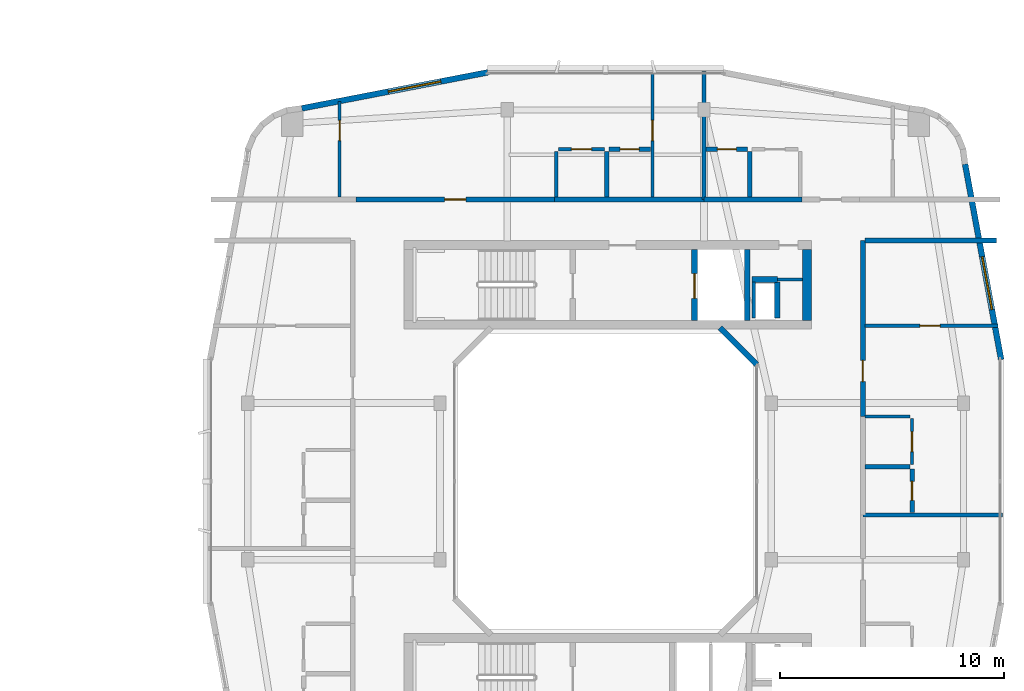
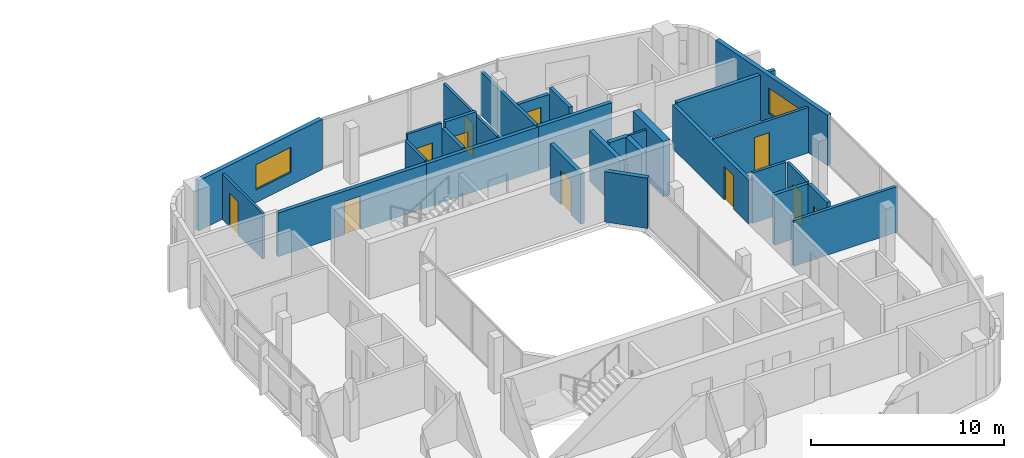
# One storey, part 19 of 26: 30 walls, 11 doors, 2 windows, 13 openings.
"""IFC4 building model written with IfcOpenShell, lengths in metres."""

import ifcopenshell
import ifcopenshell.guid

model = None  # the IFC model being written
_history = None  # IfcOwnerHistory: only IFC2X3 demands one
_inside = {}  # id of a spatial element -> (the spatial element, [elements in it])
_under = {}  # id of a project, library or spatial element -> (it, [spatial elements below it])
_declared = {}  # id of a project -> (the project, [libraries it declares])
_typed = {}  # id of a type object -> (the type object, [elements of that type])
_made_of = {}  # id of a material, layer set ... -> (it, [elements and type objects made of it])


def new_model(schema):
    """Start an empty IFC model of exactly this schema.

    Asked for "IFC4X3", IfcOpenShell would pick the latest addendum, in which some entities
    have other attributes; the version numbers below select the first issue.
    IFC2X3 requires an IfcOwnerHistory on every rooted entity: one is made here for all.
    """
    global model, _history
    if schema == "IFC4X3":
        model = ifcopenshell.file(schema_version=(4, 3, 0, 0))
    else:
        model = ifcopenshell.file(schema=schema)
    _inside.clear()
    _under.clear()
    _declared.clear()
    _typed.clear()
    _made_of.clear()
    _history = None
    if model.schema == "IFC2X3":
        org = make("IfcOrganization", Name="unknown")
        user = make(
            "IfcPersonAndOrganization",
            ThePerson=make("IfcPerson", FamilyName="unknown"),
            TheOrganization=org,
        )
        app = make(
            "IfcApplication",
            ApplicationDeveloper=org,
            Version="unknown",
            ApplicationFullName="unknown",
            ApplicationIdentifier="unknown",
        )
        _history = make(
            "IfcOwnerHistory",
            OwningUser=user,
            OwningApplication=app,
            ChangeAction="ADDED",
            CreationDate=0,
        )
    return model


def make(cls, **values):
    """One entity of the class cls with the attributes given. An attribute that is None is left unset."""
    return model.create_entity(
        cls, **{name: value for name, value in values.items() if value is not None}
    )


def rooted(cls, **values):
    """An entity with a GlobalId (a new one), such as an element, a storey or a relation."""
    return make(cls, GlobalId=ifcopenshell.guid.new(), OwnerHistory=_history, **values)


def si_unit(unit_type, name, prefix=None):
    """IfcSIUnit, for example si_unit("LENGTHUNIT", "METRE", prefix="MILLI")."""
    return make("IfcSIUnit", UnitType=unit_type, Prefix=prefix, Name=name)


def derived_unit(unit_type, elements):
    """IfcDerivedUnit: a product of units, each with its exponent."""
    return make(
        "IfcDerivedUnit",
        Elements=[
            make("IfcDerivedUnitElement", Unit=unit, Exponent=power)
            for unit, power in elements
        ],
        UnitType=unit_type,
    )


def assignment(units):
    """IfcUnitAssignment: the units of a project."""
    return None if units is None else make("IfcUnitAssignment", Units=units)


def point(xyz):
    """IfcCartesianPoint."""
    return None if xyz is None else make("IfcCartesianPoint", Coordinates=xyz)


def direction(xyz):
    """IfcDirection."""
    return None if xyz is None else make("IfcDirection", DirectionRatios=xyz)


def frame(location, z_axis=None, x_axis=None):
    """IfcAxis2Placement3D, a coordinate frame: its origin and axes. An axis left out is left unset."""
    return make(
        "IfcAxis2Placement3D",
        Location=point(location),
        Axis=direction(z_axis),
        RefDirection=direction(x_axis),
    )


def frame_2d(location, x_axis=None):
    """IfcAxis2Placement2D, a coordinate frame in the plane: its origin and x axis."""
    return make(
        "IfcAxis2Placement2D", Location=point(location), RefDirection=direction(x_axis)
    )


def origin():
    """The frame at (0, 0, 0) with its axes left unset."""
    return frame((0.0, 0.0, 0.0))


def place(relative_to, where):
    """IfcLocalPlacement: puts the frame where relative to a parent placement (None: the world)."""
    return make(
        "IfcLocalPlacement", PlacementRelTo=relative_to, RelativePlacement=where
    )


def context(
    kind, dimensions, precision=None, world=None, true_north=None, identifier=None
):
    """IfcGeometricRepresentationContext, for example the 3D "Model" context."""
    return make(
        "IfcGeometricRepresentationContext",
        ContextIdentifier=identifier,
        ContextType=kind,
        CoordinateSpaceDimension=dimensions,
        Precision=precision,
        WorldCoordinateSystem=world,
        TrueNorth=true_north,
    )


def subcontext(parent, identifier, kind, view, scale=None):
    """IfcGeometricRepresentationSubContext, for example "Body" below "Model"."""
    return make(
        "IfcGeometricRepresentationSubContext",
        ContextIdentifier=identifier,
        ContextType=kind,
        ParentContext=parent,
        TargetScale=scale,
        TargetView=view,
    )


def project(units=None, contexts=None):
    """IfcProject with its units and contexts."""
    return rooted(
        "IfcProject",
        Name="project",
        RepresentationContexts=contexts,
        UnitsInContext=assignment(units),
    )


def spatial(cls, under=None, at=None, **own):
    """A site, building, storey or space (cls), placed at a placement, below another one or the project."""
    s = rooted(cls, ObjectPlacement=at, **own)
    if under is not None:
        _under.setdefault(under.id(), (under, []))[1].append(s)
    return s


def profile(cls, at=None, kind="AREA", **sizes):
    """A parametric profile (cls). Its sizes go by their IFC names, for example OverallWidth=200.0."""
    return make(cls, ProfileType=kind, Position=at, **sizes)


def rectangle(**sizes):
    """IfcRectangleProfileDef."""
    return profile("IfcRectangleProfileDef", **sizes)


def extrude(swept, where, along, depth):
    """IfcExtrudedAreaSolid: the profile swept, set in the frame where, extruded along a direction by depth."""
    return make(
        "IfcExtrudedAreaSolid",
        SweptArea=swept,
        Position=where,
        ExtrudedDirection=direction(along),
        Depth=depth,
    )


def shape(context_of_items, identifier, shape_type, items):
    """IfcShapeRepresentation: the items that make up one representation, for example the "Body"."""
    return make(
        "IfcShapeRepresentation",
        ContextOfItems=context_of_items,
        RepresentationIdentifier=identifier,
        RepresentationType=shape_type,
        Items=items,
    )


def material(Name=None, Category=None):
    """IfcMaterial."""
    return make("IfcMaterial", Name=Name, Category=Category)


def layer(
    of_material, thickness, ventilated=None, Name=None, Category=None, Priority=None
):
    """IfcMaterialLayer: one layer of a wall or slab, of a material (None: an air gap)."""
    return make(
        "IfcMaterialLayer",
        Material=of_material,
        LayerThickness=thickness,
        IsVentilated=ventilated,
        Name=Name,
        Category=Category,
        Priority=Priority,
    )


def layer_set(layers, Name=None):
    """IfcMaterialLayerSet."""
    return make("IfcMaterialLayerSet", MaterialLayers=layers, LayerSetName=Name)


def made_of(thing, what):
    """Note that an element or type object is made of a material, layer set ...; save() writes the relation."""
    if what is not None:
        _made_of.setdefault(what.id(), (what, []))[1].append(thing)
    return thing


def type_object(cls, material=None, **own):
    """A type object (cls), such as IfcWallType, which elements share."""
    return made_of(rooted(cls, **own), material)


def element(
    cls,
    number,
    at=None,
    inside=None,
    cuts=None,
    type_object=None,
    material=None,
    context=None,
    identifier="Body",
    shape_type=None,
    held_by="IfcProductDefinitionShape",
    body=None,
    shapes=None,
    **own,
):
    """One element of the class cls, such as IfcWall. Its Tag is "e" and its number.

    at: its placement. inside: the storey or other place that contains it. cuts: it is an
    opening in that element (IfcRelVoidsElement). A single representation is given by context,
    identifier, shape_type and body (its items); several are given by shapes. held_by: the class
    of the entity that holds the representations. save() writes the other relations.
    """
    e = rooted(cls, Tag="e%d" % number, ObjectPlacement=at, **own)
    if body is not None:
        shapes = [shape(context, identifier, shape_type, body)]
    if shapes is not None:
        e.Representation = make(held_by, Representations=shapes)
    if inside is not None:
        _inside.setdefault(inside.id(), (inside, []))[1].append(e)
    if cuts is not None:
        rooted(
            "IfcRelVoidsElement", RelatingBuildingElement=cuts, RelatedOpeningElement=e
        )
    if type_object is not None:
        _typed.setdefault(type_object.id(), (type_object, []))[1].append(e)
    return made_of(e, material)


def fill(opening, filler):
    """IfcRelFillsElement: the door or window that sits in an opening."""
    return rooted(
        "IfcRelFillsElement",
        RelatingOpeningElement=opening,
        RelatedBuildingElement=filler,
    )


def aggregate(whole, parts):
    """IfcRelAggregates: a whole, such as a stair, and the parts it consists of."""
    return rooted("IfcRelAggregates", RelatingObject=whole, RelatedObjects=parts)


def save(model, path):
    """Write the relations noted so far, then the file.

    IfcRelAggregates (storeys below a building ...), IfcRelContainedInSpatialStructure (elements
    in a storey), IfcRelDefinesByType, IfcRelAssociatesMaterial and IfcRelDeclares: one each for
    every whole, place, type object, material and project.
    """
    for whole, parts in _under.values():
        aggregate(whole, parts)
    for where, things in _inside.values():
        rooted(
            "IfcRelContainedInSpatialStructure",
            RelatedElements=things,
            RelatingStructure=where,
        )
    for kind, things in _typed.values():
        rooted("IfcRelDefinesByType", RelatedObjects=things, RelatingType=kind)
    for what, things in _made_of.values():
        rooted("IfcRelAssociatesMaterial", RelatedObjects=things, RelatingMaterial=what)
    for by, libraries in _declared.values():
        rooted("IfcRelDeclares", RelatingContext=by, RelatedDefinitions=libraries)
    model.write(path)


model = new_model("IFC4")

# Units and contexts
model_context = context("Model", 3, precision=1e-05, world=origin(), true_north=direction((0.0, 1.0)))
body_context = subcontext(model_context, "Body", "Model", "MODEL_VIEW")
ifc_project = project(units=[si_unit("LENGTHUNIT", "METRE"), si_unit("AREAUNIT", "SQUARE_METRE"), si_unit("VOLUMEUNIT", "CUBIC_METRE"), si_unit("PLANEANGLEUNIT", "RADIAN"), si_unit("MASSUNIT", "GRAM", prefix="KILO"), derived_unit("THERMALTRANSMITTANCEUNIT", [(si_unit("POWERUNIT", "WATT"), 1), (si_unit("LENGTHUNIT", "METRE"), -2), (si_unit("THERMODYNAMICTEMPERATUREUNIT", "KELVIN"), -1)])], contexts=[model_context])

# Site, building, storey
site_placement = place(None, origin())
site = spatial("IfcSite", under=ifc_project, at=site_placement, CompositionType="ELEMENT")
building_placement = place(site_placement, origin())
building = spatial("IfcBuilding", under=site, at=building_placement, Name="Kivonza Crest Hotel", CompositionType="ELEMENT")
storey_placement = place(building_placement, frame((0.0, 0.0, 116.0)))
storey = spatial("IfcBuildingStorey", under=building, at=storey_placement, Name="L31", CompositionType="ELEMENT", Elevation=116.0)

# Walls
ifc_material_1 = material(Name="High-density acoustic masonry inter-tenancy wall", Category="masonry")
ifc_layer_1 = layer(ifc_material_1, 0.179931640625)
ifc_layer_set_1 = layer_set([ifc_layer_1], Name="High-density acoustic masonry inter-tenancy wall")
wall_type_1 = type_object("IfcWallType", Name="WL-ACOU-180", PredefinedType="SOLIDWALL", material=ifc_layer_set_1)
wall_1_placement = place(storey_placement, frame((81.39990234375, 37.60009765625, 0.0), z_axis=(0.0, 0.0, 1.0), x_axis=(0.0, 1.0, 0.0)))
element("IfcWall", 1, at=wall_1_placement, inside=storey, type_object=wall_type_1, Name="L31 interior partition WA-L31-T2N-DIV1", PredefinedType="SOLIDWALL", context=body_context, shape_type="SweptSolid", body=[
    extrude(rectangle(XDim=5.739990234375, YDim=0.179931640625, at=frame_2d((2.8701171875, 0.0))), origin(), (0.0, 0.0, 1.0), 2.7548828125),
])
wall_2_placement = place(storey_placement, frame((88.5, 23.5, 0.0), z_axis=(0.0, 0.0, 1.0), x_axis=(1.0, 0.0, 0.0)))
element("IfcWall", 2, at=wall_2_placement, inside=storey, type_object=wall_type_1, Name="L31 interior partition WA-L31-T2E-DIV1", PredefinedType="SOLIDWALL", context=body_context, shape_type="SweptSolid", body=[
    extrude(rectangle(XDim=6.239990234375, YDim=0.179931640625, at=frame_2d((3.1201171875, 0.0))), origin(), (0.0, 0.0, 1.0), 2.875),
])
ifc_material_2 = material(Name="Autoclaved aerated concrete blockwork", Category="masonry")
ifc_layer_2 = layer(ifc_material_2, 0.219970703125)
ifc_layer_set_2 = layer_set([ifc_layer_2], Name="Autoclaved aerated concrete blockwork")
wall_type_2 = type_object("IfcWallType", Name="WL-ACOU-220", PredefinedType="SOLIDWALL", material=ifc_layer_set_2)
wall_3_placement = place(storey_placement, frame((74.719970703125, 37.60009765625, 0.0), z_axis=(0.0, 0.0, 1.0), x_axis=(1.0, 0.0, 0.0)))
element("IfcWall", 3, at=wall_3_placement, inside=storey, type_object=wall_type_2, Name="L31 interior partition WA-L31-A01-RCORR", PredefinedType="SOLIDWALL", context=body_context, shape_type="SweptSolid", body=[
    extrude(rectangle(XDim=6.679931640625, YDim=0.219970703125, at=frame_2d((3.33984375, 0.0))), origin(), (0.0, 0.0, 1.0), 2.7548828125),
])

# Wall, opening, door
wall_4_placement = place(storey_placement, frame((65.85009765625, 37.60009765625, 0.0), z_axis=(0.0, 0.0, 1.0), x_axis=(1.0, 0.0, 0.0)))
wall_4 = element("IfcWall", 4, at=wall_4_placement, inside=storey, type_object=wall_type_2, Name="L31 interior partition WA-L31-A01-MCORR", PredefinedType="SOLIDWALL", context=body_context, shape_type="SweptSolid", body=[
    extrude(rectangle(XDim=8.869873046875, YDim=0.219970703125, at=frame_2d((4.43505859375, 0.0))), origin(), (0.0, 0.0, 1.0), 2.7548828125),
])
opening_1_placement = place(wall_4_placement, frame((3.9599609375, 0.0, 0.0)))
opening_1 = element("IfcOpeningElement", 5, at=opening_1_placement, cuts=wall_4, Name="Opening DU-60", PredefinedType="OPENING", context=body_context, shape_type="SweptSolid", body=[
    extrude(rectangle(XDim=0.949951171875, YDim=2.10009765625, at=frame_2d((0.47509765625, 1.050048828125))), frame((0.0, 0.1201171875, 0.0), z_axis=(0.0, -1.0, 0.0), x_axis=(1.0, 0.0, 0.0)), (0.0, 0.0, 1.0), 0.239990234375),
])
ifc_material_3 = material(Name="Hardwood timber oak", Category="wood")
door_type_1 = type_object("IfcDoorType", Name="DR-UNIT-950", OperationType="NOTDEFINED", PredefinedType="DOOR", material=ifc_material_3)
door_1_placement = place(opening_1_placement, origin())
door_1 = element("IfcDoor", 6, at=door_1_placement, inside=storey, type_object=door_type_1, Name="L31 A01 apartment entrance fire door", OperationType="SINGLE_SWING_LEFT", OverallHeight=2.10009765625, OverallWidth=0.949951171875, PredefinedType="DOOR", context=body_context, shape_type="SweptSolid", body=[
    extrude(rectangle(XDim=0.949951171875, YDim=2.10009765625, at=frame_2d((0.47509765625, 1.050048828125))), frame((0.0, 0.02490234375, 0.0), z_axis=(0.0, -1.0, 0.0), x_axis=(1.0, 0.0, 0.0)), (0.0, 0.0, 1.0), 0.050048828125),
])
fill(opening_1, door_1)

# Walls
wall_5_placement = place(storey_placement, frame((81.39990234375, 37.60009765625, 0.0), z_axis=(0.0, 0.0, 1.0), x_axis=(1.0, 0.0, 0.0)))
element("IfcWall", 7, at=wall_5_placement, inside=storey, type_object=wall_type_2, Name="L31 interior partition WA-L31-A02-LCORR", PredefinedType="SOLIDWALL", context=body_context, shape_type="SweptSolid", body=[
    extrude(rectangle(XDim=4.380126953125, YDim=0.219970703125, at=frame_2d((2.18994140625, 0.0))), origin(), (0.0, 0.0, 1.0), 2.7548828125),
])
wall_6_placement = place(storey_placement, frame((88.60009765625, 35.760009765625, 0.0), z_axis=(0.0, 0.0, 1.0), x_axis=(1.0, 0.0, 0.0)))
element("IfcWall", 8, at=wall_6_placement, inside=storey, type_object=wall_type_2, Name="L31 interior partition WA-L31-T2E-ENDN", PredefinedType="SOLIDWALL", context=body_context, shape_type="SweptSolid", body=[
    extrude(rectangle(XDim=5.8798828125, YDim=0.219970703125, at=frame_2d((2.93994140625, 0.0))), origin(), (0.0, 0.0, 1.0), 2.875),
])

# Wall, opening, door
wall_7_placement = place(storey_placement, frame((88.5, 27.89990234375, 0.0), z_axis=(0.0, 0.0, 1.0), x_axis=(0.0, 1.0, 0.0)))
wall_7 = element("IfcWall", 9, at=wall_7_placement, inside=storey, type_object=wall_type_2, Name="L31 interior partition WA-L31-A08-MCORR", PredefinedType="SOLIDWALL", context=body_context, shape_type="SweptSolid", body=[
    extrude(rectangle(XDim=7.860107421875, YDim=0.219970703125, at=frame_2d((3.93017578125, 0.0))), origin(), (0.0, 0.0, 1.0), 2.7548828125),
])
opening_2_placement = place(wall_7_placement, frame((1.554931640625, 0.0, 0.0)))
opening_2 = element("IfcOpeningElement", 10, at=opening_2_placement, cuts=wall_7, Name="Opening DU-60", PredefinedType="OPENING", context=body_context, shape_type="SweptSolid", body=[
    extrude(rectangle(XDim=0.949951171875, YDim=2.10009765625, at=frame_2d((0.47509765625, 1.050048828125))), frame((0.0, 0.1201171875, 0.0), z_axis=(0.0, -1.0, 0.0), x_axis=(1.0, 0.0, 0.0)), (0.0, 0.0, 1.0), 0.239990234375),
])
door_2_placement = place(opening_2_placement, frame((0.949951171875, 0.0, 0.0), z_axis=(0.0, 0.0, 1.0), x_axis=(-1.0, 0.0, 0.0)))
door_2 = element("IfcDoor", 11, at=door_2_placement, inside=storey, type_object=door_type_1, Name="L31 A08 apartment entrance fire door", OperationType="SINGLE_SWING_RIGHT", OverallHeight=2.10009765625, OverallWidth=0.949951171875, PredefinedType="DOOR", context=body_context, shape_type="SweptSolid", body=[
    extrude(rectangle(XDim=0.949951171875, YDim=2.10009765625, at=frame_2d((0.47509765625, 1.050048828125))), frame((0.0, 0.02490234375, 0.0), z_axis=(0.0, -1.0, 0.0), x_axis=(1.0, 0.0, 0.0)), (0.0, 0.0, 1.0), 0.050048828125),
])
fill(opening_2, door_2)

# Wall
ifc_material_4 = material(Name="Concrete C50/60", Category="concrete")
ifc_layer_3 = layer(ifc_material_4, 0.39990234375)
ifc_layer_set_3 = layer_set([ifc_layer_3], Name="Concrete C50/60")
wall_type_3 = type_object("IfcWallType", Name="WL-CORE-400", PredefinedType="SHEAR", material=ifc_layer_set_3)
wall_8_placement = place(storey_placement, frame((86.0, 32.199951171875, 0.0), z_axis=(0.0, 0.0, 1.0), x_axis=(0.0, 1.0, 0.0)))
element("IfcWall", 12, at=wall_8_placement, inside=storey, type_object=wall_type_3, Name="Core wall T2-N East L31", PredefinedType="SHEAR", context=body_context, shape_type="SweptSolid", body=[
    extrude(rectangle(XDim=3.16015625, YDim=0.39990234375, at=frame_2d((1.580078125, 0.0))), origin(), (0.0, 0.0, 1.0), 3.5),
])

# Wall, opening, window
ifc_material_5 = material(Name="Precast concrete C40/50", Category="concrete")
ifc_layer_4 = layer(ifc_material_5, 0.260009765625)
ifc_layer_set_4 = layer_set([ifc_layer_4], Name="Precast concrete C40/50")
wall_type_4 = type_object("IfcWallType", Name="WL-EXT-260", PredefinedType="STANDARD", material=ifc_layer_set_4)
wall_9_placement = place(storey_placement, frame((94.681884765625, 30.44189453125, 0.0), z_axis=(0.0, 0.0, 1.0), x_axis=(-0.181209963057, 0.983444431215, 0.0)))
wall_9 = element("IfcWall", 13, at=wall_9_placement, inside=storey, type_object=wall_type_4, Name="L31 T2 exterior insulated wall 18", PredefinedType="STANDARD", context=body_context, shape_type="SweptSolid", body=[
    extrude(rectangle(XDim=8.889404296875, YDim=0.260009765625, at=frame_2d((4.44482421875, 0.0))), origin(), (0.0, 0.0, 1.0), 3.179931640625),
])
opening_3_placement = place(wall_9_placement, frame((2.27587890625, 0.0, 0.800048828125)))
opening_3 = element("IfcOpeningElement", 14, at=opening_3_placement, cuts=wall_9, Name="Opening WN-05", PredefinedType="OPENING", context=body_context, shape_type="SweptSolid", body=[
    extrude(rectangle(XDim=2.39990234375, YDim=1.60009765625, at=frame_2d((1.199951171875, 0.800048828125))), frame((0.0, 0.14013671875, 0.0), z_axis=(0.0, -1.0, 0.0), x_axis=(1.0, 0.0, 0.0)), (0.0, 0.0, 1.0), 0.280029296875),
])
ifc_material_6 = material(Name="Thermally broken bronze aluminium and low-E double glazing", Category="aluminium")
window_type = type_object("IfcWindowType", Name="WN-240x160", PartitioningType="TRIPLE_PANEL_VERTICAL", PredefinedType="WINDOW", material=ifc_material_6)
window_1_placement = place(opening_3_placement, origin())
window_1 = element("IfcWindow", 15, at=window_1_placement, inside=storey, type_object=window_type, Name="L31 T2 facade window 18", OverallHeight=1.60009765625, OverallWidth=2.39990234375, PartitioningType="SINGLE_PANEL", PredefinedType="WINDOW", context=body_context, shape_type="SweptSolid", body=[
    extrude(rectangle(XDim=2.39990234375, YDim=1.60009765625, at=frame_2d((1.199951171875, 0.800048828125))), frame((0.0, 0.030029296875, 0.0), z_axis=(0.0, -1.0, 0.0), x_axis=(1.0, 0.0, 0.0)), (0.0, 0.0, 1.0), 0.06005859375),
])
fill(opening_3, window_1)

wall_10_placement = place(storey_placement, frame((71.739013671875, 43.281982421875, 0.0), z_axis=(0.0, 0.0, 1.0), x_axis=(-0.981750199588, -0.190175039396, 0.0)))
wall_10 = element("IfcWall", 16, at=wall_10_placement, inside=storey, type_object=wall_type_4, Name="L31 T2 exterior insulated wall 27", PredefinedType="STANDARD", context=body_context, shape_type="SweptSolid", body=[
    extrude(rectangle(XDim=8.476806640625, YDim=0.260009765625, at=frame_2d((4.23828125, 0.0))), origin(), (0.0, 0.0, 1.0), 3.179931640625),
])
opening_4_placement = place(wall_10_placement, frame((2.138916015625, 0.0, 0.800048828125)))
opening_4 = element("IfcOpeningElement", 17, at=opening_4_placement, cuts=wall_10, Name="Opening WN-05", PredefinedType="OPENING", context=body_context, shape_type="SweptSolid", body=[
    extrude(rectangle(XDim=2.39990234375, YDim=1.60009765625, at=frame_2d((1.199951171875, 0.800048828125))), frame((0.0, 0.14013671875, 0.0), z_axis=(0.0, -1.0, 0.0), x_axis=(1.0, 0.0, 0.0)), (0.0, 0.0, 1.0), 0.280029296875),
])
window_2_placement = place(opening_4_placement, origin())
window_2 = element("IfcWindow", 18, at=window_2_placement, inside=storey, type_object=window_type, Name="L31 T2 facade window 27", OverallHeight=1.60009765625, OverallWidth=2.39990234375, PartitioningType="SINGLE_PANEL", PredefinedType="WINDOW", context=body_context, shape_type="SweptSolid", body=[
    extrude(rectangle(XDim=2.39990234375, YDim=1.60009765625, at=frame_2d((1.199951171875, 0.800048828125))), frame((0.0, 0.030029296875, 0.0), z_axis=(0.0, -1.0, 0.0), x_axis=(1.0, 0.0, 0.0)), (0.0, 0.0, 1.0), 0.06005859375),
])
fill(opening_4, window_2)

# Walls
wall_11_placement = place(storey_placement, frame((83.756103515625, 30.22802734375, 0.0), z_axis=(0.0, 0.0, 1.0), x_axis=(-0.707106781187, 0.707106781187, 0.0)))
element("IfcWall", 19, at=wall_11_placement, inside=storey, type_object=wall_type_4, Name="L31 T2 light-well exterior wall 4", PredefinedType="STANDARD", context=body_context, shape_type="SweptSolid", body=[
    extrude(rectangle(XDim=2.310791015625, YDim=0.260009765625, at=frame_2d((1.1552734375, 0.0))), origin(), (0.0, 0.0, 1.0), 3.179931640625),
])
ifc_material_7 = material(Name="Concrete blockwork fire-compartment wall", Category="masonry")
ifc_layer_5 = layer(ifc_material_7, 0.25)
ifc_layer_set_5 = layer_set([ifc_layer_5], Name="Concrete blockwork fire-compartment wall")
wall_type_5 = type_object("IfcWallType", Name="WL-FIRE-250", PredefinedType="SOLIDWALL", material=ifc_layer_set_5)
wall_12_placement = place(storey_placement, frame((84.679931640625, 32.300048828125, 0.0), z_axis=(0.0, 0.0, 1.0), x_axis=(0.0, 1.0, 0.0)))
element("IfcWall", 20, at=wall_12_placement, inside=storey, type_object=wall_type_5, Name="L31 interior partition WA-L31-T2-N-MEPR-E", PredefinedType="SOLIDWALL", context=body_context, shape_type="SweptSolid", body=[
    extrude(rectangle(XDim=1.619873046875, YDim=0.25, at=frame_2d((0.81005859375, 0.0))), origin(), (0.0, 0.0, 1.0), 3.179931640625),
])
wall_13_placement = place(storey_placement, frame((83.550048828125, 34.02001953125, 0.0), z_axis=(0.0, 0.0, 1.0), x_axis=(1.0, 0.0, 0.0)))
element("IfcWall", 21, at=wall_13_placement, inside=storey, type_object=wall_type_5, Name="L31 interior partition WA-L31-T2-N-MEPR-H", PredefinedType="SOLIDWALL", context=body_context, shape_type="SweptSolid", body=[
    extrude(rectangle(XDim=1.1298828125, YDim=0.25, at=frame_2d((0.56494140625, 0.0))), origin(), (0.0, 0.0, 1.0), 3.179931640625),
])
ifc_material_8 = material(Name="Metal-stud gypsum board partition", Category="gypsum")
ifc_layer_6 = layer(ifc_material_8, 0.125)
ifc_layer_set_6 = layer_set([ifc_layer_6], Name="Metal-stud gypsum board partition")
wall_type_6 = type_object("IfcWallType", Name="WL-PART-125", PredefinedType="PARTITIONING", material=ifc_layer_set_6)
wall_14_placement = place(storey_placement, frame((84.679931640625, 34.02001953125, 0.0), z_axis=(0.0, 0.0, 1.0), x_axis=(1.0, 0.0, 0.0)))
element("IfcWall", 22, at=wall_14_placement, inside=storey, type_object=wall_type_6, Name="L31 interior partition WP-L31-T2-N-T2H", PredefinedType="PARTITIONING", context=body_context, shape_type="SweptSolid", body=[
    extrude(rectangle(XDim=1.1201171875, YDim=0.125, at=frame_2d((0.56005859375, 0.0))), origin(), (0.0, 0.0, 1.0), 3.179931640625),
])
ifc_material_9 = material(Name="Twin-stud acoustic gypsum board partition", Category="gypsum")
ifc_layer_7 = layer(ifc_material_9, 0.14990234375)
ifc_layer_set_7 = layer_set([ifc_layer_7], Name="Twin-stud acoustic gypsum board partition")
wall_type_7 = type_object("IfcWallType", Name="WL-PART-150", PredefinedType="PARTITIONING", material=ifc_layer_set_7)
wall_15_placement = place(storey_placement, frame((83.6298828125, 32.300048828125, 0.0), z_axis=(0.0, 0.0, 1.0), x_axis=(0.0, 1.0, 0.0)))
element("IfcWall", 23, at=wall_15_placement, inside=storey, type_object=wall_type_7, Name="L31 interior partition WA-L31-T2-N-MEPR-W", PredefinedType="PARTITIONING", context=body_context, shape_type="SweptSolid", body=[
    extrude(rectangle(XDim=1.619873046875, YDim=0.14990234375, at=frame_2d((0.81005859375, 0.0))), origin(), (0.0, 0.0, 1.0), 2.7548828125),
])

# Wall, opening, door
wall_16_placement = place(storey_placement, frame((65.110107421875, 37.699951171875, 0.0), z_axis=(0.0, 0.0, 1.0), x_axis=(0.0, 1.0, 0.0)))
wall_16 = element("IfcWall", 24, at=wall_16_placement, inside=storey, type_object=wall_type_7, Name="L31 interior partition WP-L31-A01-BDW1", PredefinedType="PARTITIONING", context=body_context, shape_type="SweptSolid", body=[
    extrude(rectangle(XDim=4.27001953125, YDim=0.14990234375, at=frame_2d((2.135009765625, 0.0))), origin(), (0.0, 0.0, 1.0), 2.875),
])
opening_5_placement = place(wall_16_placement, frame((2.530029296875, 0.0, 0.0)))
opening_5 = element("IfcOpeningElement", 25, at=opening_5_placement, cuts=wall_16, Name="Opening DI-90", PredefinedType="OPENING", context=body_context, shape_type="SweptSolid", body=[
    extrude(rectangle(XDim=0.89990234375, YDim=2.10009765625, at=frame_2d((0.449951171875, 1.050048828125))), frame((0.0, 0.0849609375, 0.0), z_axis=(0.0, -1.0, 0.0), x_axis=(1.0, 0.0, 0.0)), (0.0, 0.0, 1.0), 0.169921875),
])
door_type_2 = type_object("IfcDoorType", Name="DR-INT-900", OperationType="NOTDEFINED", PredefinedType="DOOR", material=ifc_material_3)
door_3_placement = place(opening_5_placement, origin())
door_3 = element("IfcDoor", 26, at=door_3_placement, inside=storey, type_object=door_type_2, Name="L31 A01 bedroom 1 door", OperationType="SINGLE_SWING_RIGHT", OverallHeight=2.10009765625, OverallWidth=0.89990234375, PredefinedType="DOOR", context=body_context, shape_type="SweptSolid", body=[
    extrude(rectangle(XDim=0.89990234375, YDim=2.10009765625, at=frame_2d((0.449951171875, 1.050048828125))), frame((0.0, 0.02490234375, 0.0), z_axis=(0.0, -1.0, 0.0), x_axis=(1.0, 0.0, 0.0)), (0.0, 0.0, 1.0), 0.050048828125),
])
fill(opening_5, door_3)

wall_17_placement = place(storey_placement, frame((79.10009765625, 37.699951171875, 0.0), z_axis=(0.0, 0.0, 1.0), x_axis=(0.0, 1.0, 0.0)))
wall_17 = element("IfcWall", 27, at=wall_17_placement, inside=storey, type_object=wall_type_7, Name="L31 interior partition WP-L31-A01-BDW2", PredefinedType="PARTITIONING", context=body_context, shape_type="SweptSolid", body=[
    extrude(rectangle(XDim=5.5400390625, YDim=0.14990234375, at=frame_2d((2.77001953125, 0.0))), origin(), (0.0, 0.0, 1.0), 2.85498046875),
])
opening_6_placement = place(wall_17_placement, frame((2.530029296875, 0.0, 0.0)))
opening_6 = element("IfcOpeningElement", 28, at=opening_6_placement, cuts=wall_17, Name="Opening DI-90", PredefinedType="OPENING", context=body_context, shape_type="SweptSolid", body=[
    extrude(rectangle(XDim=0.89990234375, YDim=2.10009765625, at=frame_2d((0.449951171875, 1.050048828125))), frame((0.0, 0.0849609375, 0.0), z_axis=(0.0, -1.0, 0.0), x_axis=(1.0, 0.0, 0.0)), (0.0, 0.0, 1.0), 0.169921875),
])
door_4_placement = place(opening_6_placement, origin())
door_4 = element("IfcDoor", 29, at=door_4_placement, inside=storey, type_object=door_type_2, Name="L31 A01 bedroom 2 door", OperationType="SINGLE_SWING_LEFT", OverallHeight=2.10009765625, OverallWidth=0.89990234375, PredefinedType="DOOR", context=body_context, shape_type="SweptSolid", body=[
    extrude(rectangle(XDim=0.89990234375, YDim=2.10009765625, at=frame_2d((0.449951171875, 1.050048828125))), frame((0.0, 0.02490234375, 0.0), z_axis=(0.0, -1.0, 0.0), x_axis=(1.0, 0.0, 0.0)), (0.0, 0.0, 1.0), 0.050048828125),
])
fill(opening_6, door_4)

# Wall
wall_18_placement = place(storey_placement, frame((74.800048828125, 37.699951171875, 0.0), z_axis=(0.0, 0.0, 1.0), x_axis=(0.0, 1.0, 0.0)))
element("IfcWall", 30, at=wall_18_placement, inside=storey, type_object=wall_type_7, Name="L31 interior partition WP-L31-A01-KF", PredefinedType="PARTITIONING", context=body_context, shape_type="SweptSolid", body=[
    extrude(rectangle(XDim=2.050048828125, YDim=0.14990234375, at=frame_2d((1.02490234375, 0.0))), origin(), (0.0, 0.0, 1.0), 2.85498046875),
])

# Wall, opening, door
wall_19_placement = place(storey_placement, frame((74.89990234375, 39.85009765625, 0.0), z_axis=(0.0, 0.0, 1.0), x_axis=(1.0, 0.0, 0.0)))
wall_19 = element("IfcWall", 31, at=wall_19_placement, inside=storey, type_object=wall_type_7, Name="L31 interior partition WP-L31-A01-KSVC", PredefinedType="PARTITIONING", context=body_context, shape_type="SweptSolid", body=[
    extrude(rectangle(XDim=2.050048828125, YDim=0.14990234375, at=frame_2d((1.02490234375, 0.0))), origin(), (0.0, 0.0, 1.0), 3.179931640625),
])
opening_7_placement = place(wall_19_placement, frame((0.574951171875, 0.0, 0.0)))
opening_7 = element("IfcOpeningElement", 32, at=opening_7_placement, cuts=wall_19, Name="Opening DI-90", PredefinedType="OPENING", context=body_context, shape_type="SweptSolid", body=[
    extrude(rectangle(XDim=0.89990234375, YDim=2.10009765625, at=frame_2d((0.449951171875, 1.050048828125))), frame((0.0, 0.0849609375, 0.0), z_axis=(0.0, -1.0, 0.0), x_axis=(1.0, 0.0, 0.0)), (0.0, 0.0, 1.0), 0.169921875),
])
door_5_placement = place(opening_7_placement, origin())
door_5 = element("IfcDoor", 33, at=door_5_placement, inside=storey, type_object=door_type_2, Name="L31 A01 apartment kitchen door", OperationType="SINGLE_SWING_LEFT", OverallHeight=2.10009765625, OverallWidth=0.89990234375, PredefinedType="DOOR", context=body_context, shape_type="SweptSolid", body=[
    extrude(rectangle(XDim=0.89990234375, YDim=2.10009765625, at=frame_2d((0.449951171875, 1.050048828125))), frame((0.0, 0.02490234375, 0.0), z_axis=(0.0, -1.0, 0.0), x_axis=(1.0, 0.0, 0.0)), (0.0, 0.0, 1.0), 0.050048828125),
])
fill(opening_7, door_5)

wall_20_placement = place(storey_placement, frame((88.60009765625, 31.9599609375, 0.0), z_axis=(0.0, 0.0, 1.0), x_axis=(1.0, 0.0, 0.0)))
wall_20 = element("IfcWall", 34, at=wall_20_placement, inside=storey, type_object=wall_type_7, Name="L31 interior partition WP-L31-A08-BD1", PredefinedType="PARTITIONING", context=body_context, shape_type="SweptSolid", body=[
    extrude(rectangle(XDim=5.93994140625, YDim=0.14990234375, at=frame_2d((2.969970703125, 0.0))), origin(), (0.0, 0.0, 1.0), 2.875),
])
opening_8_placement = place(wall_20_placement, frame((2.449951171875, 0.0, 0.0)))
opening_8 = element("IfcOpeningElement", 35, at=opening_8_placement, cuts=wall_20, Name="Opening DI-90", PredefinedType="OPENING", context=body_context, shape_type="SweptSolid", body=[
    extrude(rectangle(XDim=0.89990234375, YDim=2.10009765625, at=frame_2d((0.449951171875, 1.050048828125))), frame((0.0, 0.0849609375, 0.0), z_axis=(0.0, -1.0, 0.0), x_axis=(1.0, 0.0, 0.0)), (0.0, 0.0, 1.0), 0.169921875),
])
door_6_placement = place(opening_8_placement, origin())
door_6 = element("IfcDoor", 36, at=door_6_placement, inside=storey, type_object=door_type_2, Name="L31 A08 bedroom door", OperationType="SINGLE_SWING_LEFT", OverallHeight=2.10009765625, OverallWidth=0.89990234375, PredefinedType="DOOR", context=body_context, shape_type="SweptSolid", body=[
    extrude(rectangle(XDim=0.89990234375, YDim=2.10009765625, at=frame_2d((0.449951171875, 1.050048828125))), frame((0.0, 0.02490234375, 0.0), z_axis=(0.0, -1.0, 0.0), x_axis=(1.0, 0.0, 0.0)), (0.0, 0.0, 1.0), 0.050048828125),
])
fill(opening_8, door_6)

# Wall
wall_21_placement = place(storey_placement, frame((88.60009765625, 27.89990234375, 0.0), z_axis=(0.0, 0.0, 1.0), x_axis=(1.0, 0.0, 0.0)))
element("IfcWall", 37, at=wall_21_placement, inside=storey, type_object=wall_type_7, Name="L31 interior partition WP-L31-A08-KF", PredefinedType="PARTITIONING", context=body_context, shape_type="SweptSolid", body=[
    extrude(rectangle(XDim=2.0, YDim=0.14990234375, at=frame_2d((1.0, 0.0))), origin(), (0.0, 0.0, 1.0), 3.179931640625),
])

# Wall, opening, door
wall_22_placement = place(storey_placement, frame((90.699951171875, 25.75, 0.0), z_axis=(0.0, 0.0, 1.0), x_axis=(0.0, 1.0, 0.0)))
wall_22 = element("IfcWall", 38, at=wall_22_placement, inside=storey, type_object=wall_type_7, Name="L31 interior partition WP-L31-A08-KSVC", PredefinedType="PARTITIONING", context=body_context, shape_type="SweptSolid", body=[
    extrude(rectangle(XDim=2.050048828125, YDim=0.14990234375, at=frame_2d((1.02490234375, 0.0))), origin(), (0.0, 0.0, 1.0), 3.179931640625),
])
opening_9_placement = place(wall_22_placement, frame((0.574951171875, 0.0, 0.0)))
opening_9 = element("IfcOpeningElement", 39, at=opening_9_placement, cuts=wall_22, Name="Opening DI-90", PredefinedType="OPENING", context=body_context, shape_type="SweptSolid", body=[
    extrude(rectangle(XDim=0.89990234375, YDim=2.10009765625, at=frame_2d((0.449951171875, 1.050048828125))), frame((0.0, 0.0849609375, 0.0), z_axis=(0.0, -1.0, 0.0), x_axis=(1.0, 0.0, 0.0)), (0.0, 0.0, 1.0), 0.169921875),
])
door_7_placement = place(opening_9_placement, frame((0.89990234375, 0.0, 0.0), z_axis=(0.0, 0.0, 1.0), x_axis=(-1.0, 0.0, 0.0)))
door_7 = element("IfcDoor", 40, at=door_7_placement, inside=storey, type_object=door_type_2, Name="L31 A08 apartment kitchen door", OperationType="SINGLE_SWING_RIGHT", OverallHeight=2.10009765625, OverallWidth=0.89990234375, PredefinedType="DOOR", context=body_context, shape_type="SweptSolid", body=[
    extrude(rectangle(XDim=0.89990234375, YDim=2.10009765625, at=frame_2d((0.449951171875, 1.050048828125))), frame((0.0, 0.02490234375, 0.0), z_axis=(0.0, -1.0, 0.0), x_axis=(1.0, 0.0, 0.0)), (0.0, 0.0, 1.0), 0.050048828125),
])
fill(opening_9, door_7)

# Wall
ifc_material_10 = material(Name="Moisture-resistant plumbing chase partition wall", Category="gypsum")
ifc_layer_8 = layer(ifc_material_10, 0.199951171875)
ifc_layer_set_8 = layer_set([ifc_layer_8], Name="Moisture-resistant plumbing chase partition wall")
wall_type_8 = type_object("IfcWallType", Name="WL-PLUMB-200", PredefinedType="PLUMBINGWALL", material=ifc_layer_set_8)
wall_23_placement = place(storey_placement, frame((77.050048828125, 37.699951171875, 0.0), z_axis=(0.0, 0.0, 1.0), x_axis=(0.0, 1.0, 0.0)))
element("IfcWall", 41, at=wall_23_placement, inside=storey, type_object=wall_type_8, Name="L31 interior partition WW-L31-A01-BK", PredefinedType="PLUMBINGWALL", context=body_context, shape_type="SweptSolid", body=[
    extrude(rectangle(XDim=2.050048828125, YDim=0.199951171875, at=frame_2d((1.02490234375, 0.0))), origin(), (0.0, 0.0, 1.0), 2.85498046875),
])

# Wall, opening, door
wall_24_placement = place(storey_placement, frame((77.14990234375, 39.85009765625, 0.0), z_axis=(0.0, 0.0, 1.0), x_axis=(1.0, 0.0, 0.0)))
wall_24 = element("IfcWall", 42, at=wall_24_placement, inside=storey, type_object=wall_type_8, Name="L31 interior partition WW-L31-A01-BSVC", PredefinedType="PLUMBINGWALL", context=body_context, shape_type="SweptSolid", body=[
    extrude(rectangle(XDim=1.85009765625, YDim=0.199951171875, at=frame_2d((0.925048828125, 0.0))), origin(), (0.0, 0.0, 1.0), 3.179931640625),
])
opening_10_placement = place(wall_24_placement, frame((0.5, 0.0, 0.0)))
opening_10 = element("IfcOpeningElement", 43, at=opening_10_placement, cuts=wall_24, Name="Opening DI-85", PredefinedType="OPENING", context=body_context, shape_type="SweptSolid", body=[
    extrude(rectangle(XDim=0.85009765625, YDim=2.10009765625, at=frame_2d((0.425048828125, 1.050048828125))), frame((0.0, 0.10986328125, 0.0), z_axis=(0.0, -1.0, 0.0), x_axis=(1.0, 0.0, 0.0)), (0.0, 0.0, 1.0), 0.219970703125),
])
door_type_3 = type_object("IfcDoorType", Name="DR-INT-850", OperationType="NOTDEFINED", PredefinedType="DOOR", material=ifc_material_3)
door_8_placement = place(opening_10_placement, origin())
door_8 = element("IfcDoor", 44, at=door_8_placement, inside=storey, type_object=door_type_3, Name="L31 A01 apartment bathroom door", OperationType="SINGLE_SWING_RIGHT", OverallHeight=2.10009765625, OverallWidth=0.85009765625, PredefinedType="DOOR", context=body_context, shape_type="SweptSolid", body=[
    extrude(rectangle(XDim=0.85009765625, YDim=2.10009765625, at=frame_2d((0.425048828125, 1.050048828125))), frame((0.0, 0.02490234375, 0.0), z_axis=(0.0, -1.0, 0.0), x_axis=(1.0, 0.0, 0.0)), (0.0, 0.0, 1.0), 0.050048828125),
])
fill(opening_10, door_8)

# Wall
wall_25_placement = place(storey_placement, frame((83.449951171875, 37.699951171875, 0.0), z_axis=(0.0, 0.0, 1.0), x_axis=(0.0, 1.0, 0.0)))
element("IfcWall", 45, at=wall_25_placement, inside=storey, type_object=wall_type_8, Name="L31 interior partition WW-L31-A02-BK", PredefinedType="PLUMBINGWALL", context=body_context, shape_type="SweptSolid", body=[
    extrude(rectangle(XDim=2.050048828125, YDim=0.199951171875, at=frame_2d((1.02490234375, 0.0))), origin(), (0.0, 0.0, 1.0), 3.179931640625),
])

# Wall, opening, door
wall_26_placement = place(storey_placement, frame((81.5, 39.85009765625, 0.0), z_axis=(0.0, 0.0, 1.0), x_axis=(1.0, 0.0, 0.0)))
wall_26 = element("IfcWall", 46, at=wall_26_placement, inside=storey, type_object=wall_type_8, Name="L31 interior partition WW-L31-A02-BSVC", PredefinedType="PLUMBINGWALL", context=body_context, shape_type="SweptSolid", body=[
    extrude(rectangle(XDim=1.85009765625, YDim=0.199951171875, at=frame_2d((0.925048828125, 0.0))), origin(), (0.0, 0.0, 1.0), 2.7548828125),
])
opening_11_placement = place(wall_26_placement, frame((0.5, 0.0, 0.0)))
opening_11 = element("IfcOpeningElement", 47, at=opening_11_placement, cuts=wall_26, Name="Opening DI-85", PredefinedType="OPENING", context=body_context, shape_type="SweptSolid", body=[
    extrude(rectangle(XDim=0.85009765625, YDim=2.10009765625, at=frame_2d((0.425048828125, 1.050048828125))), frame((0.0, 0.10986328125, 0.0), z_axis=(0.0, -1.0, 0.0), x_axis=(1.0, 0.0, 0.0)), (0.0, 0.0, 1.0), 0.219970703125),
])
door_9_placement = place(opening_11_placement, origin())
door_9 = element("IfcDoor", 48, at=door_9_placement, inside=storey, type_object=door_type_3, Name="L31 A02 apartment bathroom door", OperationType="SINGLE_SWING_LEFT", OverallHeight=2.10009765625, OverallWidth=0.85009765625, PredefinedType="DOOR", context=body_context, shape_type="SweptSolid", body=[
    extrude(rectangle(XDim=0.85009765625, YDim=2.10009765625, at=frame_2d((0.425048828125, 1.050048828125))), frame((0.0, 0.02490234375, 0.0), z_axis=(0.0, -1.0, 0.0), x_axis=(1.0, 0.0, 0.0)), (0.0, 0.0, 1.0), 0.050048828125),
])
fill(opening_11, door_9)

# Wall
wall_27_placement = place(storey_placement, frame((88.60009765625, 25.64990234375, 0.0), z_axis=(0.0, 0.0, 1.0), x_axis=(1.0, 0.0, 0.0)))
element("IfcWall", 49, at=wall_27_placement, inside=storey, type_object=wall_type_8, Name="L31 interior partition WW-L31-A08-BK", PredefinedType="PLUMBINGWALL", context=body_context, shape_type="SweptSolid", body=[
    extrude(rectangle(XDim=2.0, YDim=0.199951171875, at=frame_2d((1.0, 0.0))), origin(), (0.0, 0.0, 1.0), 3.179931640625),
])

# Wall, opening, door
wall_28_placement = place(storey_placement, frame((90.699951171875, 23.60009765625, 0.0), z_axis=(0.0, 0.0, 1.0), x_axis=(0.0, 1.0, 0.0)))
wall_28 = element("IfcWall", 50, at=wall_28_placement, inside=storey, type_object=wall_type_8, Name="L31 interior partition WW-L31-A08-BSVC", PredefinedType="PLUMBINGWALL", context=body_context, shape_type="SweptSolid", body=[
    extrude(rectangle(XDim=1.949951171875, YDim=0.199951171875, at=frame_2d((0.97509765625, 0.0))), origin(), (0.0, 0.0, 1.0), 3.179931640625),
])
opening_12_placement = place(wall_28_placement, frame((0.550048828125, 0.0, 0.0)))
opening_12 = element("IfcOpeningElement", 51, at=opening_12_placement, cuts=wall_28, Name="Opening DI-85", PredefinedType="OPENING", context=body_context, shape_type="SweptSolid", body=[
    extrude(rectangle(XDim=0.85009765625, YDim=2.10009765625, at=frame_2d((0.425048828125, 1.050048828125))), frame((0.0, 0.10986328125, 0.0), z_axis=(0.0, -1.0, 0.0), x_axis=(1.0, 0.0, 0.0)), (0.0, 0.0, 1.0), 0.219970703125),
])
door_10_placement = place(opening_12_placement, frame((0.85009765625, 0.0, 0.0), z_axis=(0.0, 0.0, 1.0), x_axis=(-1.0, 0.0, 0.0)))
door_10 = element("IfcDoor", 52, at=door_10_placement, inside=storey, type_object=door_type_3, Name="L31 A08 apartment bathroom door", OperationType="SINGLE_SWING_LEFT", OverallHeight=2.10009765625, OverallWidth=0.85009765625, PredefinedType="DOOR", context=body_context, shape_type="SweptSolid", body=[
    extrude(rectangle(XDim=0.85009765625, YDim=2.10009765625, at=frame_2d((0.425048828125, 1.050048828125))), frame((0.0, 0.02490234375, 0.0), z_axis=(0.0, -1.0, 0.0), x_axis=(1.0, 0.0, 0.0)), (0.0, 0.0, 1.0), 0.050048828125),
])
fill(opening_12, door_10)

ifc_layer_9 = layer(ifc_material_4, 0.25)
ifc_layer_set_9 = layer_set([ifc_layer_9], Name="Concrete C50/60")
wall_type_9 = type_object("IfcWallType", Name="WL-SHAFT-250", PredefinedType="STANDARD", material=ifc_layer_set_9)
wall_29_placement = place(storey_placement, frame((80.97509765625, 32.199951171875, 0.0), z_axis=(0.0, 0.0, 1.0), x_axis=(0.0, 1.0, 0.0)))
wall_29 = element("IfcWall", 53, at=wall_29_placement, inside=storey, type_object=wall_type_9, Name="Core shaft wall T2-N FFL-W L31", PredefinedType="STANDARD", context=body_context, shape_type="SweptSolid", body=[
    extrude(rectangle(XDim=3.16015625, YDim=0.25, at=frame_2d((1.580078125, 0.0))), origin(), (0.0, 0.0, 1.0), 3.179931640625),
])
opening_13_placement = place(wall_29_placement, frame((0.97998046875, 0.0, 0.0)))
opening_13 = element("IfcOpeningElement", 54, at=opening_13_placement, cuts=wall_29, Name="Opening LD-120", PredefinedType="OPENING", context=body_context, shape_type="SweptSolid", body=[
    extrude(rectangle(XDim=1.10009765625, YDim=2.14990234375, at=frame_2d((0.550048828125, 1.074951171875))), frame((0.0, 0.135009765625, 0.0), z_axis=(0.0, -1.0, 0.0), x_axis=(1.0, 0.0, 0.0)), (0.0, 0.0, 1.0), 0.27001953125),
])
ifc_material_11 = material(Name="Stainless steel", Category="steel")
door_type_4 = type_object("IfcDoorType", Name="DR-LD120-1100", OperationType="NOTDEFINED", PredefinedType="DOOR", material=ifc_material_11)
door_11_placement = place(opening_13_placement, origin())
door_11 = element("IfcDoor", 55, at=door_11_placement, inside=storey, type_object=door_type_4, Name="L31 FFL-T2 firefighting lift sliding landing door", OperationType="DOUBLE_DOOR_SLIDING", OverallHeight=2.14990234375, OverallWidth=1.10009765625, PredefinedType="DOOR", context=body_context, shape_type="SweptSolid", body=[
    extrude(rectangle(XDim=1.10009765625, YDim=2.14990234375, at=frame_2d((0.550048828125, 1.074951171875))), frame((0.0, 0.02490234375, 0.0), z_axis=(0.0, -1.0, 0.0), x_axis=(1.0, 0.0, 0.0)), (0.0, 0.0, 1.0), 0.050048828125),
])
fill(opening_13, door_11)

# Wall
wall_30_placement = place(storey_placement, frame((83.324951171875, 32.199951171875, 0.0), z_axis=(0.0, 0.0, 1.0), x_axis=(0.0, 1.0, 0.0)))
element("IfcWall", 56, at=wall_30_placement, inside=storey, type_object=wall_type_9, Name="Core shaft wall T2-N FFL-E L31", PredefinedType="STANDARD", context=body_context, shape_type="SweptSolid", body=[
    extrude(rectangle(XDim=3.16015625, YDim=0.25, at=frame_2d((1.580078125, 0.0))), origin(), (0.0, 0.0, 1.0), 3.179931640625),
])

save(model, "model.ifc")
